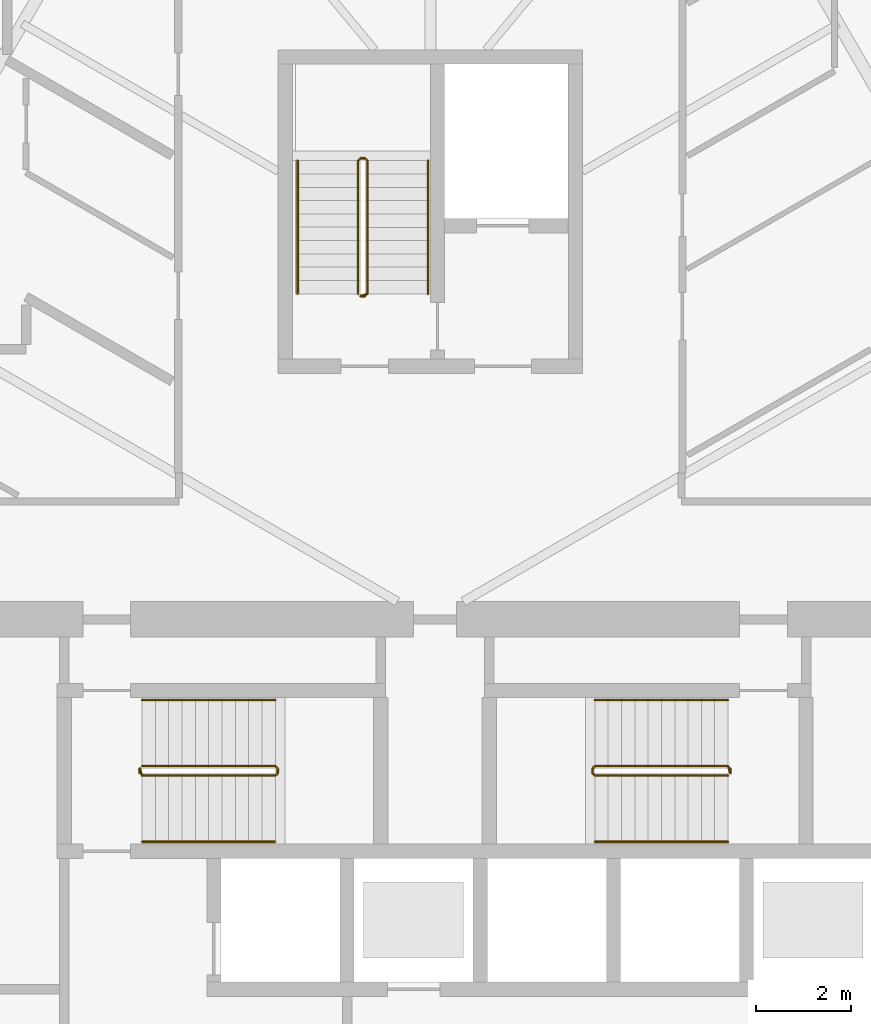
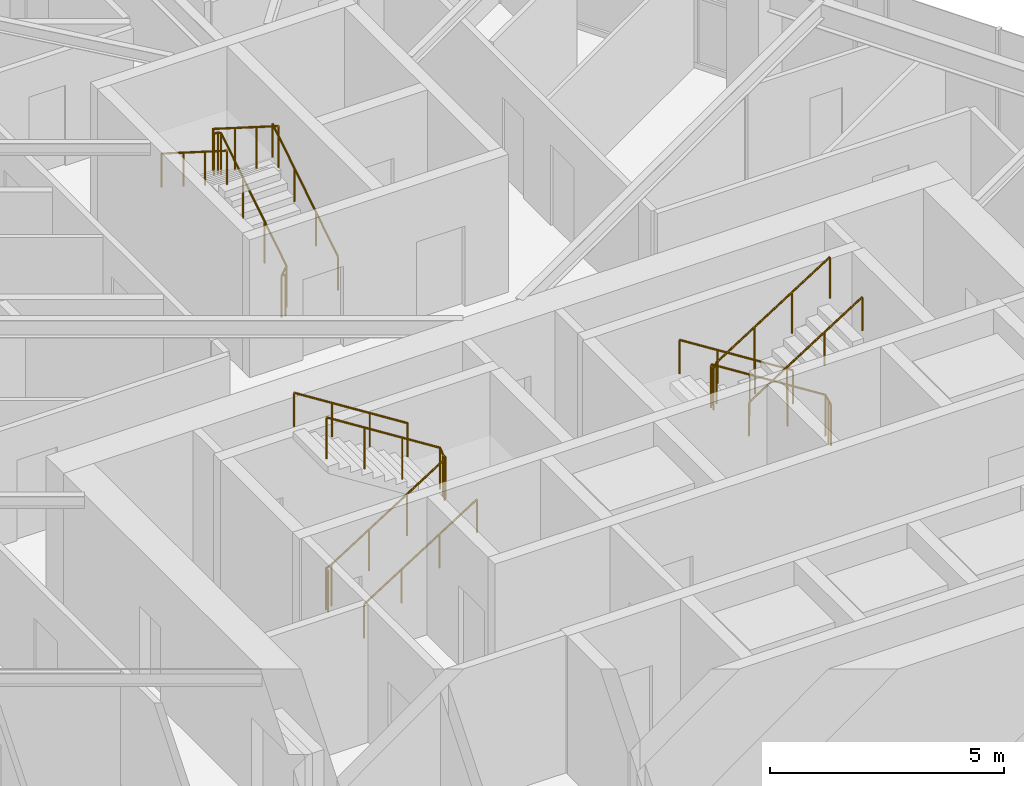
# One storey, part 23 of 24: 9 railings.
"""IFC4 building model written with IfcOpenShell, lengths in metres."""

import ifcopenshell
import ifcopenshell.guid

model = None  # the IFC model being written
_history = None  # IfcOwnerHistory: only IFC2X3 demands one
_inside = {}  # id of a spatial element -> (the spatial element, [elements in it])
_under = {}  # id of a project, library or spatial element -> (it, [spatial elements below it])
_declared = {}  # id of a project -> (the project, [libraries it declares])
_typed = {}  # id of a type object -> (the type object, [elements of that type])
_made_of = {}  # id of a material, layer set ... -> (it, [elements and type objects made of it])


def new_model(schema):
    """Start an empty IFC model of exactly this schema.

    Asked for "IFC4X3", IfcOpenShell would pick the latest addendum, in which some entities
    have other attributes; the version numbers below select the first issue.
    IFC2X3 requires an IfcOwnerHistory on every rooted entity: one is made here for all.
    """
    global model, _history
    if schema == "IFC4X3":
        model = ifcopenshell.file(schema_version=(4, 3, 0, 0))
    else:
        model = ifcopenshell.file(schema=schema)
    _inside.clear()
    _under.clear()
    _declared.clear()
    _typed.clear()
    _made_of.clear()
    _history = None
    if model.schema == "IFC2X3":
        org = make("IfcOrganization", Name="unknown")
        user = make(
            "IfcPersonAndOrganization",
            ThePerson=make("IfcPerson", FamilyName="unknown"),
            TheOrganization=org,
        )
        app = make(
            "IfcApplication",
            ApplicationDeveloper=org,
            Version="unknown",
            ApplicationFullName="unknown",
            ApplicationIdentifier="unknown",
        )
        _history = make(
            "IfcOwnerHistory",
            OwningUser=user,
            OwningApplication=app,
            ChangeAction="ADDED",
            CreationDate=0,
        )
    return model


def make(cls, **values):
    """One entity of the class cls with the attributes given. An attribute that is None is left unset."""
    return model.create_entity(
        cls, **{name: value for name, value in values.items() if value is not None}
    )


def rooted(cls, **values):
    """An entity with a GlobalId (a new one), such as an element, a storey or a relation."""
    return make(cls, GlobalId=ifcopenshell.guid.new(), OwnerHistory=_history, **values)


def si_unit(unit_type, name, prefix=None):
    """IfcSIUnit, for example si_unit("LENGTHUNIT", "METRE", prefix="MILLI")."""
    return make("IfcSIUnit", UnitType=unit_type, Prefix=prefix, Name=name)


def assignment(units):
    """IfcUnitAssignment: the units of a project."""
    return None if units is None else make("IfcUnitAssignment", Units=units)


def point(xyz):
    """IfcCartesianPoint."""
    return None if xyz is None else make("IfcCartesianPoint", Coordinates=xyz)


def direction(xyz):
    """IfcDirection."""
    return None if xyz is None else make("IfcDirection", DirectionRatios=xyz)


def frame(location, z_axis=None, x_axis=None):
    """IfcAxis2Placement3D, a coordinate frame: its origin and axes. An axis left out is left unset."""
    return make(
        "IfcAxis2Placement3D",
        Location=point(location),
        Axis=direction(z_axis),
        RefDirection=direction(x_axis),
    )


def frame_2d(location, x_axis=None):
    """IfcAxis2Placement2D, a coordinate frame in the plane: its origin and x axis."""
    return make(
        "IfcAxis2Placement2D", Location=point(location), RefDirection=direction(x_axis)
    )


def origin():
    """The frame at (0, 0, 0) with its axes left unset."""
    return frame((0.0, 0.0, 0.0))


def origin_2d():
    """The frame at (0, 0) in the plane with its x axis left unset."""
    return frame_2d((0.0, 0.0))


def place(relative_to, where):
    """IfcLocalPlacement: puts the frame where relative to a parent placement (None: the world)."""
    return make(
        "IfcLocalPlacement", PlacementRelTo=relative_to, RelativePlacement=where
    )


def context(
    kind, dimensions, precision=None, world=None, true_north=None, identifier=None
):
    """IfcGeometricRepresentationContext, for example the 3D "Model" context."""
    return make(
        "IfcGeometricRepresentationContext",
        ContextIdentifier=identifier,
        ContextType=kind,
        CoordinateSpaceDimension=dimensions,
        Precision=precision,
        WorldCoordinateSystem=world,
        TrueNorth=true_north,
    )


def subcontext(parent, identifier, kind, view, scale=None):
    """IfcGeometricRepresentationSubContext, for example "Body" below "Model"."""
    return make(
        "IfcGeometricRepresentationSubContext",
        ContextIdentifier=identifier,
        ContextType=kind,
        ParentContext=parent,
        TargetScale=scale,
        TargetView=view,
    )


def project(units=None, contexts=None):
    """IfcProject with its units and contexts."""
    return rooted(
        "IfcProject",
        Name="project",
        RepresentationContexts=contexts,
        UnitsInContext=assignment(units),
    )


def spatial(cls, under=None, at=None, **own):
    """A site, building, storey or space (cls), placed at a placement, below another one or the project."""
    s = rooted(cls, ObjectPlacement=at, **own)
    if under is not None:
        _under.setdefault(under.id(), (under, []))[1].append(s)
    return s


def profile(cls, at=None, kind="AREA", **sizes):
    """A parametric profile (cls). Its sizes go by their IFC names, for example OverallWidth=200.0."""
    return make(cls, ProfileType=kind, Position=at, **sizes)


def circle(**sizes):
    """IfcCircleProfileDef."""
    return profile("IfcCircleProfileDef", **sizes)


def extrude(swept, where, along, depth):
    """IfcExtrudedAreaSolid: the profile swept, set in the frame where, extruded along a direction by depth."""
    return make(
        "IfcExtrudedAreaSolid",
        SweptArea=swept,
        Position=where,
        ExtrudedDirection=direction(along),
        Depth=depth,
    )


def shape(context_of_items, identifier, shape_type, items):
    """IfcShapeRepresentation: the items that make up one representation, for example the "Body"."""
    return make(
        "IfcShapeRepresentation",
        ContextOfItems=context_of_items,
        RepresentationIdentifier=identifier,
        RepresentationType=shape_type,
        Items=items,
    )


def material(Name=None, Category=None):
    """IfcMaterial."""
    return make("IfcMaterial", Name=Name, Category=Category)


def made_of(thing, what):
    """Note that an element or type object is made of a material, layer set ...; save() writes the relation."""
    if what is not None:
        _made_of.setdefault(what.id(), (what, []))[1].append(thing)
    return thing


def type_object(cls, material=None, **own):
    """A type object (cls), such as IfcWallType, which elements share."""
    return made_of(rooted(cls, **own), material)


def element(
    cls,
    number,
    at=None,
    inside=None,
    cuts=None,
    type_object=None,
    material=None,
    context=None,
    identifier="Body",
    shape_type=None,
    held_by="IfcProductDefinitionShape",
    body=None,
    shapes=None,
    **own,
):
    """One element of the class cls, such as IfcWall. Its Tag is "e" and its number.

    at: its placement. inside: the storey or other place that contains it. cuts: it is an
    opening in that element (IfcRelVoidsElement). A single representation is given by context,
    identifier, shape_type and body (its items); several are given by shapes. held_by: the class
    of the entity that holds the representations. save() writes the other relations.
    """
    e = rooted(cls, Tag="e%d" % number, ObjectPlacement=at, **own)
    if body is not None:
        shapes = [shape(context, identifier, shape_type, body)]
    if shapes is not None:
        e.Representation = make(held_by, Representations=shapes)
    if inside is not None:
        _inside.setdefault(inside.id(), (inside, []))[1].append(e)
    if cuts is not None:
        rooted(
            "IfcRelVoidsElement", RelatingBuildingElement=cuts, RelatedOpeningElement=e
        )
    if type_object is not None:
        _typed.setdefault(type_object.id(), (type_object, []))[1].append(e)
    return made_of(e, material)


def aggregate(whole, parts):
    """IfcRelAggregates: a whole, such as a stair, and the parts it consists of."""
    return rooted("IfcRelAggregates", RelatingObject=whole, RelatedObjects=parts)


def save(model, path):
    """Write the relations noted so far, then the file.

    IfcRelAggregates (storeys below a building ...), IfcRelContainedInSpatialStructure (elements
    in a storey), IfcRelDefinesByType, IfcRelAssociatesMaterial and IfcRelDeclares: one each for
    every whole, place, type object, material and project.
    """
    for whole, parts in _under.values():
        aggregate(whole, parts)
    for where, things in _inside.values():
        rooted(
            "IfcRelContainedInSpatialStructure",
            RelatedElements=things,
            RelatingStructure=where,
        )
    for kind, things in _typed.values():
        rooted("IfcRelDefinesByType", RelatedObjects=things, RelatingType=kind)
    for what, things in _made_of.values():
        rooted("IfcRelAssociatesMaterial", RelatedObjects=things, RelatingMaterial=what)
    for by, libraries in _declared.values():
        rooted("IfcRelDeclares", RelatingContext=by, RelatedDefinitions=libraries)
    model.write(path)


model = new_model("IFC4")

# Units and contexts
model_context = context("Model", 3, precision=1e-05, world=origin(), true_north=direction((0.0, 1.0)))
body_context = subcontext(model_context, "Body", "Model", "MODEL_VIEW")
ifc_project = project(units=[si_unit("LENGTHUNIT", "METRE"), si_unit("AREAUNIT", "SQUARE_METRE"), si_unit("VOLUMEUNIT", "CUBIC_METRE"), si_unit("PLANEANGLEUNIT", "RADIAN"), si_unit("MASSUNIT", "GRAM", prefix="KILO")], contexts=[model_context])

# Site, building, storey
site_placement = place(None, origin())
site = spatial("IfcSite", under=ifc_project, at=site_placement, CompositionType="ELEMENT")
building_placement = place(site_placement, origin())
building = spatial("IfcBuilding", under=site, at=building_placement, Name="Firuza Gate Tower and Library", CompositionType="ELEMENT")
storey_placement = place(building_placement, frame((0.0, 0.0, 237.699951171875)))
storey = spatial("IfcBuildingStorey", under=building, at=storey_placement, Name="L56", CompositionType="ELEMENT", Elevation=237.699951171875)

# Railings
ifc_material_1 = material(Name="Steel S355", Category="steel")
railing_type_1 = type_object("IfcRailingType", Name="Stair guard 1100", PredefinedType="GUARDRAIL", material=ifc_material_1)
railing_1_placement = place(storey_placement, frame((68.889892578125, 79.389892578125, 0.0)))
element("IfcRailing", 1, at=railing_1_placement, inside=storey, type_object=railing_type_1, Name="L56 ST1 stair guard 1", PredefinedType="GUARDRAIL", context=body_context, shape_type="SweptSolid", body=[
    extrude(circle(Radius=0.02392578125, at=origin_2d()), frame((0.0, 0.0, 1.076171875), z_axis=(0.0, 1.0, 0.0), x_axis=(-1.0, 0.0, 0.0)), (0.0, 0.0, 1.0), 0.10009765625),
    extrude(circle(Radius=0.02392578125, at=origin_2d()), frame((0.0, 0.10009765625, 1.076171875), z_axis=(0.210758951027, -0.631248760638, 0.74639511437), x_axis=(0.948528701346, 0.316691178788, 0.0)), (0.0, 0.0, 1.0), 0.237548828125),
    extrude(circle(Radius=0.02392578125, at=origin_2d()), frame((0.050048828125, -0.0498046875, 1.25341796875), z_axis=(0.844908973607, 0.0, 0.534910110503), x_axis=(0.0, 1.0, 0.0)), (0.0, 0.0, 1.0), 3.31396484375),
    extrude(circle(Radius=0.02392578125, at=origin_2d()), frame((2.85009765625, -0.0498046875, 3.02587890625), z_axis=(0.708833529934, 0.705375805398, 0.0), x_axis=(-0.705375805398, 0.708833529934, 0.0)), (0.0, 0.0, 1.0), 0.070556640625),
    extrude(circle(Radius=0.02392578125, at=origin_2d()), frame((2.900146484375, 0.0, 3.02587890625), z_axis=(0.0, 1.0, 0.0), x_axis=(-1.0, 0.0, 0.0)), (0.0, 0.0, 1.0), 0.10009765625),
    extrude(circle(Radius=0.02392578125, at=origin_2d()), frame((2.900146484375, 0.10009765625, 3.02587890625), z_axis=(-0.261922500866, 0.261922500866, 0.928866625022), x_axis=(-0.707106781187, -0.707106781187, 0.0)), (0.0, 0.0, 1.0), 0.191162109375),
    extrude(circle(Radius=0.02392578125, at=origin_2d()), frame((2.85009765625, 0.150146484375, 3.20361328125), z_axis=(-0.844908973607, 0.0, 0.534910110503), x_axis=(0.0, -1.0, 0.0)), (0.0, 0.0, 1.0), 3.31396484375),
    extrude(circle(Radius=0.02099609375, at=origin_2d()), origin(), (0.0, 0.0, 1.0), 1.052001953125),
    extrude(circle(Radius=0.02099609375, at=origin_2d()), frame((0.0, 0.10009765625, 0.0)), (0.0, 0.0, 1.0), 1.052001953125),
    extrude(circle(Radius=0.02099609375, at=origin_2d()), frame((0.050048828125, -0.0498046875, 0.17724609375)), (0.0, 0.0, 1.0), 1.052001953125),
    extrude(circle(Radius=0.02099609375, at=origin_2d()), frame((0.9833984375, -0.0498046875, 0.76806640625)), (0.0, 0.0, 1.0), 1.052001953125),
    extrude(circle(Radius=0.02099609375, at=origin_2d()), frame((1.916748046875, -0.0498046875, 1.359130859375)), (0.0, 0.0, 1.0), 1.052001953125),
    extrude(circle(Radius=0.02099609375, at=origin_2d()), frame((2.85009765625, -0.0498046875, 1.949951171875)), (0.0, 0.0, 1.0), 1.052001953125),
    extrude(circle(Radius=0.02099609375, at=origin_2d()), frame((2.900146484375, 0.0, 1.949951171875)), (0.0, 0.0, 1.0), 1.052001953125),
    extrude(circle(Radius=0.02099609375, at=origin_2d()), frame((2.900146484375, 0.10009765625, 1.949951171875)), (0.0, 0.0, 1.0), 1.052001953125),
    extrude(circle(Radius=0.02099609375, at=origin_2d()), frame((2.85009765625, 0.150146484375, 2.12744140625)), (0.0, 0.0, 1.0), 1.052001953125),
    extrude(circle(Radius=0.02099609375, at=origin_2d()), frame((1.916748046875, 0.150146484375, 2.71826171875)), (0.0, 0.0, 1.0), 1.052001953125),
    extrude(circle(Radius=0.02099609375, at=origin_2d()), frame((0.9833984375, 0.150146484375, 3.309326171875)), (0.0, 0.0, 1.0), 1.052001953125),
    extrude(circle(Radius=0.02099609375, at=origin_2d()), frame((0.050048828125, 0.150146484375, 3.900146484375)), (0.0, 0.0, 1.0), 1.052001953125),
])
railing_2_placement = place(storey_placement, frame((81.31005859375, 79.489990234375, 0.0)))
element("IfcRailing", 2, at=railing_2_placement, inside=storey, type_object=railing_type_1, Name="L56 ST2 stair guard 1", PredefinedType="GUARDRAIL", context=body_context, shape_type="SweptSolid", body=[
    extrude(circle(Radius=0.02392578125, at=origin_2d()), frame((0.0, 0.0, 1.076171875), z_axis=(0.0, -1.0, 0.0), x_axis=(1.0, 0.0, 0.0)), (0.0, 0.0, 1.0), 0.10009765625),
    extrude(circle(Radius=0.02392578125, at=origin_2d()), frame((0.0, -0.10009765625, 1.076171875), z_axis=(-0.210622194084, 0.631866582253, 0.74591079466), x_axis=(-0.948683298051, -0.316227766017, 0.0)), (0.0, 0.0, 1.0), 0.237548828125),
    extrude(circle(Radius=0.02392578125, at=origin_2d()), frame((-0.050048828125, 0.050048828125, 1.25341796875), z_axis=(-0.844908973607, 0.0, 0.534910110503), x_axis=(0.0, -1.0, 0.0)), (0.0, 0.0, 1.0), 3.31396484375),
    extrude(circle(Radius=0.02392578125, at=origin_2d()), frame((-2.85009765625, 0.050048828125, 3.02587890625), z_axis=(-0.707106781187, -0.707106781187, 0.0), x_axis=(0.707106781187, -0.707106781187, 0.0)), (0.0, 0.0, 1.0), 0.07080078125),
    extrude(circle(Radius=0.02392578125, at=origin_2d()), frame((-2.900146484375, 0.0, 3.02587890625), z_axis=(0.0, -1.0, 0.0), x_axis=(1.0, 0.0, 0.0)), (0.0, 0.0, 1.0), 0.10009765625),
    extrude(circle(Radius=0.02392578125, at=origin_2d()), frame((-2.900146484375, -0.10009765625, 3.02587890625), z_axis=(0.262009983441, -0.260731885961, 0.929176868105), x_axis=(0.705375805398, 0.708833529934, 0.0)), (0.0, 0.0, 1.0), 0.19091796875),
    extrude(circle(Radius=0.02392578125, at=origin_2d()), frame((-2.85009765625, -0.14990234375, 3.20361328125), z_axis=(0.844908973607, 0.0, 0.534910110503), x_axis=(0.0, 1.0, 0.0)), (0.0, 0.0, 1.0), 3.31396484375),
    extrude(circle(Radius=0.02099609375, at=origin_2d()), origin(), (0.0, 0.0, 1.0), 1.052001953125),
    extrude(circle(Radius=0.02099609375, at=origin_2d()), frame((0.0, -0.10009765625, 0.0)), (0.0, 0.0, 1.0), 1.052001953125),
    extrude(circle(Radius=0.02099609375, at=origin_2d()), frame((-0.050048828125, 0.050048828125, 0.17724609375)), (0.0, 0.0, 1.0), 1.052001953125),
    extrude(circle(Radius=0.02099609375, at=origin_2d()), frame((-0.9833984375, 0.050048828125, 0.76806640625)), (0.0, 0.0, 1.0), 1.052001953125),
    extrude(circle(Radius=0.02099609375, at=origin_2d()), frame((-1.916748046875, 0.050048828125, 1.359130859375)), (0.0, 0.0, 1.0), 1.052001953125),
    extrude(circle(Radius=0.02099609375, at=origin_2d()), frame((-2.85009765625, 0.050048828125, 1.949951171875)), (0.0, 0.0, 1.0), 1.052001953125),
    extrude(circle(Radius=0.02099609375, at=origin_2d()), frame((-2.900146484375, 0.0, 1.949951171875)), (0.0, 0.0, 1.0), 1.052001953125),
    extrude(circle(Radius=0.02099609375, at=origin_2d()), frame((-2.900146484375, -0.10009765625, 1.949951171875)), (0.0, 0.0, 1.0), 1.052001953125),
    extrude(circle(Radius=0.02099609375, at=origin_2d()), frame((-2.85009765625, -0.14990234375, 2.12744140625)), (0.0, 0.0, 1.0), 1.052001953125),
    extrude(circle(Radius=0.02099609375, at=origin_2d()), frame((-1.916748046875, -0.14990234375, 2.71826171875)), (0.0, 0.0, 1.0), 1.052001953125),
    extrude(circle(Radius=0.02099609375, at=origin_2d()), frame((-0.9833984375, -0.14990234375, 3.309326171875)), (0.0, 0.0, 1.0), 1.052001953125),
    extrude(circle(Radius=0.02099609375, at=origin_2d()), frame((-0.050048828125, -0.14990234375, 3.900146484375)), (0.0, 0.0, 1.0), 1.052001953125),
])
railing_3_placement = place(storey_placement, frame((73.6298828125, 89.419921875, 0.0)))
element("IfcRailing", 3, at=railing_3_placement, inside=storey, type_object=railing_type_1, Name="L56 ST3 stair guard 1", PredefinedType="GUARDRAIL", context=body_context, shape_type="SweptSolid", body=[
    extrude(circle(Radius=0.02392578125, at=origin_2d()), frame((0.0, 0.0, 1.076171875), z_axis=(-1.0, 0.0, 0.0), x_axis=(0.0, -1.0, 0.0)), (0.0, 0.0, 1.0), 0.099853515625),
    extrude(circle(Radius=0.02392578125, at=origin_2d()), frame((-0.099853515625, 0.0, 1.076171875), z_axis=(0.631248760638, 0.210758951027, 0.74639511437), x_axis=(-0.316691178788, 0.948528701346, 0.0)), (0.0, 0.0, 1.0), 0.237548828125),
    extrude(circle(Radius=0.02392578125, at=origin_2d()), frame((0.050048828125, 0.050048828125, 1.25341796875), z_axis=(0.0, 0.844908973607, 0.534910110503), x_axis=(-1.0, 0.0, 0.0)), (0.0, 0.0, 1.0), 3.31396484375),
    extrude(circle(Radius=0.02392578125, at=origin_2d()), frame((0.050048828125, 2.85009765625, 3.02587890625), z_axis=(-0.707106781187, 0.707106781187, 0.0), x_axis=(-0.707106781187, -0.707106781187, 0.0)), (0.0, 0.0, 1.0), 0.07080078125),
    extrude(circle(Radius=0.02392578125, at=origin_2d()), frame((0.0, 2.900146484375, 3.02587890625), z_axis=(-1.0, 0.0, 0.0), x_axis=(0.0, -1.0, 0.0)), (0.0, 0.0, 1.0), 0.099853515625),
    extrude(circle(Radius=0.02392578125, at=origin_2d()), frame((-0.099853515625, 2.900146484375, 3.02587890625), z_axis=(-0.261922500866, -0.261922500866, 0.928866625022), x_axis=(0.707106781187, -0.707106781187, 0.0)), (0.0, 0.0, 1.0), 0.191162109375),
    extrude(circle(Radius=0.02392578125, at=origin_2d()), frame((-0.14990234375, 2.85009765625, 3.20361328125), z_axis=(0.0, -0.844908973607, 0.534910110503), x_axis=(1.0, 0.0, 0.0)), (0.0, 0.0, 1.0), 3.31396484375),
    extrude(circle(Radius=0.02099609375, at=origin_2d()), origin(), (0.0, 0.0, 1.0), 1.052001953125),
    extrude(circle(Radius=0.02099609375, at=origin_2d()), frame((-0.099853515625, 0.0, 0.0)), (0.0, 0.0, 1.0), 1.052001953125),
    extrude(circle(Radius=0.02099609375, at=origin_2d()), frame((0.050048828125, 0.050048828125, 0.17724609375)), (0.0, 0.0, 1.0), 1.052001953125),
    extrude(circle(Radius=0.02099609375, at=origin_2d()), frame((0.050048828125, 0.9833984375, 0.76806640625)), (0.0, 0.0, 1.0), 1.052001953125),
    extrude(circle(Radius=0.02099609375, at=origin_2d()), frame((0.050048828125, 1.916748046875, 1.359130859375)), (0.0, 0.0, 1.0), 1.052001953125),
    extrude(circle(Radius=0.02099609375, at=origin_2d()), frame((0.050048828125, 2.85009765625, 1.949951171875)), (0.0, 0.0, 1.0), 1.052001953125),
    extrude(circle(Radius=0.02099609375, at=origin_2d()), frame((0.0, 2.900146484375, 1.949951171875)), (0.0, 0.0, 1.0), 1.052001953125),
    extrude(circle(Radius=0.02099609375, at=origin_2d()), frame((-0.099853515625, 2.900146484375, 1.949951171875)), (0.0, 0.0, 1.0), 1.052001953125),
    extrude(circle(Radius=0.02099609375, at=origin_2d()), frame((-0.14990234375, 2.85009765625, 2.12744140625)), (0.0, 0.0, 1.0), 1.052001953125),
    extrude(circle(Radius=0.02099609375, at=origin_2d()), frame((-0.14990234375, 1.916748046875, 2.71826171875)), (0.0, 0.0, 1.0), 1.052001953125),
    extrude(circle(Radius=0.02099609375, at=origin_2d()), frame((-0.14990234375, 0.9833984375, 3.309326171875)), (0.0, 0.0, 1.0), 1.052001953125),
    extrude(circle(Radius=0.02099609375, at=origin_2d()), frame((-0.14990234375, 0.050048828125, 3.900146484375)), (0.0, 0.0, 1.0), 1.052001953125),
])
ifc_material_2 = material(Name="Steel S355", Category="steel")
railing_type_2 = type_object("IfcRailingType", Name="Stair handrail 900", PredefinedType="HANDRAIL", material=ifc_material_2)
railing_4_placement = place(storey_placement, frame((68.93994140625, 77.949951171875, 0.17724609375)))
element("IfcRailing", 4, at=railing_4_placement, inside=storey, type_object=railing_type_2, Name="L56 ST1 stair handrail 1", PredefinedType="HANDRAIL", context=body_context, shape_type="SweptSolid", body=[
    extrude(circle(Radius=0.02392578125, at=origin_2d()), frame((0.0, 0.0, 0.8759765625), z_axis=(0.844908973607, 0.0, 0.534910110503), x_axis=(0.0, 1.0, 0.0)), (0.0, 0.0, 1.0), 3.31396484375),
    extrude(circle(Radius=0.02099609375, at=origin_2d()), origin(), (0.0, 0.0, 1.0), 0.851806640625),
    extrude(circle(Radius=0.02099609375, at=origin_2d()), frame((0.933349609375, 0.0, 0.5908203125)), (0.0, 0.0, 1.0), 0.851806640625),
    extrude(circle(Radius=0.02099609375, at=origin_2d()), frame((1.86669921875, 0.0, 1.181884765625)), (0.0, 0.0, 1.0), 0.851806640625),
    extrude(circle(Radius=0.02099609375, at=origin_2d()), frame((2.800048828125, 0.0, 1.772705078125)), (0.0, 0.0, 1.0), 0.851806640625),
])
for number, where, name in (
    (5, (71.739990234375, 80.929931640625, 2.12744140625), "L56 ST1 stair handrail 2"),
    (6, (81.260009765625, 80.929931640625, 0.17724609375), "L56 ST2 stair handrail 1"),
):
    element("IfcRailing", number, at=place(storey_placement, frame(where)), inside=storey, type_object=railing_type_2, Name=name, PredefinedType="HANDRAIL", context=body_context, shape_type="SweptSolid", body=[
        extrude(circle(Radius=0.02392578125, at=origin_2d()), frame((0.0, 0.0, 0.8759765625), z_axis=(-0.844908973607, 0.0, 0.534910110503), x_axis=(0.0, -1.0, 0.0)), (0.0, 0.0, 1.0), 3.31396484375),
        extrude(circle(Radius=0.02099609375, at=origin_2d()), origin(), (0.0, 0.0, 1.0), 0.851806640625),
        extrude(circle(Radius=0.02099609375, at=origin_2d()), frame((-0.933349609375, 0.0, 0.5908203125)), (0.0, 0.0, 1.0), 0.851806640625),
        extrude(circle(Radius=0.02099609375, at=origin_2d()), frame((-1.86669921875, 0.0, 1.181884765625)), (0.0, 0.0, 1.0), 0.851806640625),
        extrude(circle(Radius=0.02099609375, at=origin_2d()), frame((-2.800048828125, 0.0, 1.772705078125)), (0.0, 0.0, 1.0), 0.851806640625),
    ])
railing_5_placement = place(storey_placement, frame((78.4599609375, 77.949951171875, 2.12744140625)))
element("IfcRailing", 7, at=railing_5_placement, inside=storey, type_object=railing_type_2, Name="L56 ST2 stair handrail 2", PredefinedType="HANDRAIL", context=body_context, shape_type="SweptSolid", body=[
    extrude(circle(Radius=0.02392578125, at=origin_2d()), frame((0.0, 0.0, 0.8759765625), z_axis=(0.844908973607, 0.0, 0.534910110503), x_axis=(0.0, 1.0, 0.0)), (0.0, 0.0, 1.0), 3.31396484375),
    extrude(circle(Radius=0.02099609375, at=origin_2d()), origin(), (0.0, 0.0, 1.0), 0.851806640625),
    extrude(circle(Radius=0.02099609375, at=origin_2d()), frame((0.933349609375, 0.0, 0.5908203125)), (0.0, 0.0, 1.0), 0.851806640625),
    extrude(circle(Radius=0.02099609375, at=origin_2d()), frame((1.86669921875, 0.0, 1.181884765625)), (0.0, 0.0, 1.0), 0.851806640625),
    extrude(circle(Radius=0.02099609375, at=origin_2d()), frame((2.800048828125, 0.0, 1.772705078125)), (0.0, 0.0, 1.0), 0.851806640625),
])
railing_6_placement = place(storey_placement, frame((74.949951171875, 89.469970703125, 0.17724609375)))
element("IfcRailing", 8, at=railing_6_placement, inside=storey, type_object=railing_type_2, Name="L56 ST3 stair handrail 1", PredefinedType="HANDRAIL", context=body_context, shape_type="SweptSolid", body=[
    extrude(circle(Radius=0.02392578125, at=origin_2d()), frame((0.0, 0.0, 0.8759765625), z_axis=(0.0, 0.844908973607, 0.534910110503), x_axis=(-1.0, 0.0, 0.0)), (0.0, 0.0, 1.0), 3.31396484375),
    extrude(circle(Radius=0.02099609375, at=origin_2d()), origin(), (0.0, 0.0, 1.0), 0.851806640625),
    extrude(circle(Radius=0.02099609375, at=origin_2d()), frame((0.0, 0.933349609375, 0.5908203125)), (0.0, 0.0, 1.0), 0.851806640625),
    extrude(circle(Radius=0.02099609375, at=origin_2d()), frame((0.0, 1.86669921875, 1.181884765625)), (0.0, 0.0, 1.0), 0.851806640625),
    extrude(circle(Radius=0.02099609375, at=origin_2d()), frame((0.0, 2.800048828125, 1.772705078125)), (0.0, 0.0, 1.0), 0.851806640625),
])
railing_7_placement = place(storey_placement, frame((72.2099609375, 92.27001953125, 2.12744140625)))
element("IfcRailing", 9, at=railing_7_placement, inside=storey, type_object=railing_type_2, Name="L56 ST3 stair handrail 2", PredefinedType="HANDRAIL", context=body_context, shape_type="SweptSolid", body=[
    extrude(circle(Radius=0.02392578125, at=origin_2d()), frame((0.0, 0.0, 0.8759765625), z_axis=(0.0, -0.844908973607, 0.534910110503), x_axis=(1.0, 0.0, 0.0)), (0.0, 0.0, 1.0), 3.31396484375),
    extrude(circle(Radius=0.02099609375, at=origin_2d()), origin(), (0.0, 0.0, 1.0), 0.851806640625),
    extrude(circle(Radius=0.02099609375, at=origin_2d()), frame((0.0, -0.933349609375, 0.5908203125)), (0.0, 0.0, 1.0), 0.851806640625),
    extrude(circle(Radius=0.02099609375, at=origin_2d()), frame((0.0, -1.86669921875, 1.181884765625)), (0.0, 0.0, 1.0), 0.851806640625),
    extrude(circle(Radius=0.02099609375, at=origin_2d()), frame((0.0, -2.800048828125, 1.772705078125)), (0.0, 0.0, 1.0), 0.851806640625),
])

save(model, "model.ifc")
